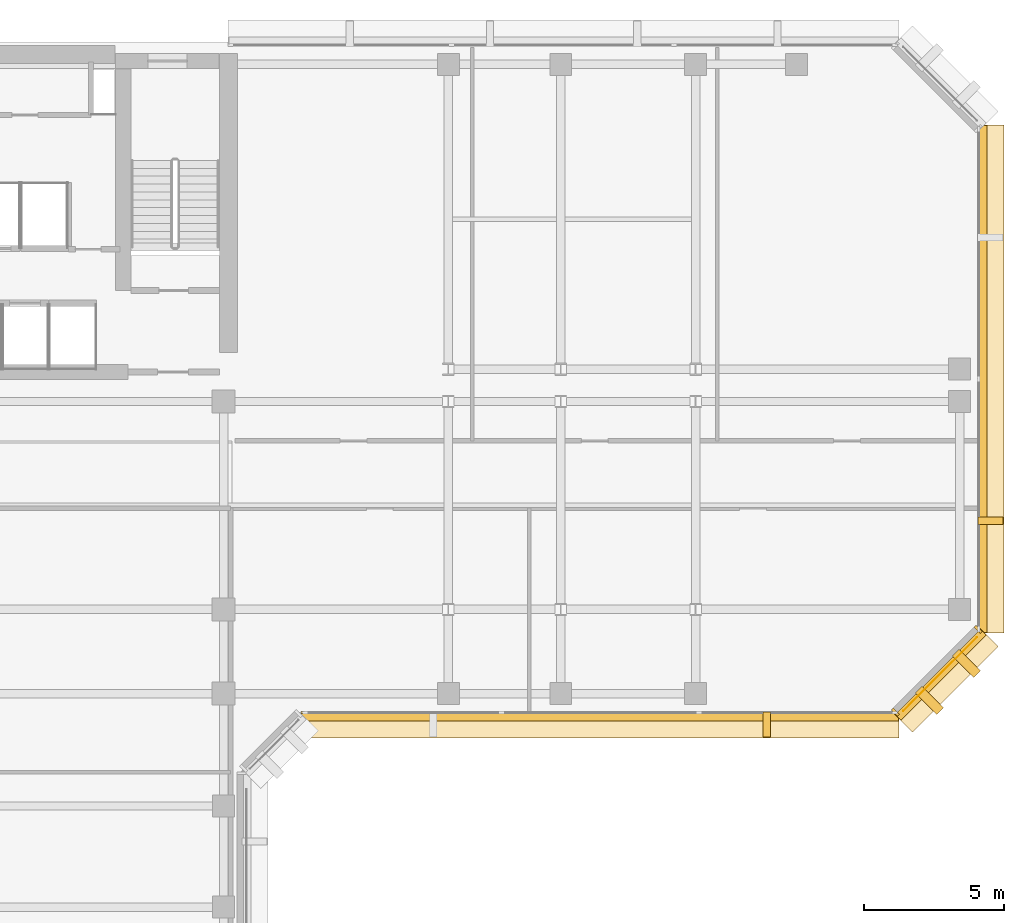
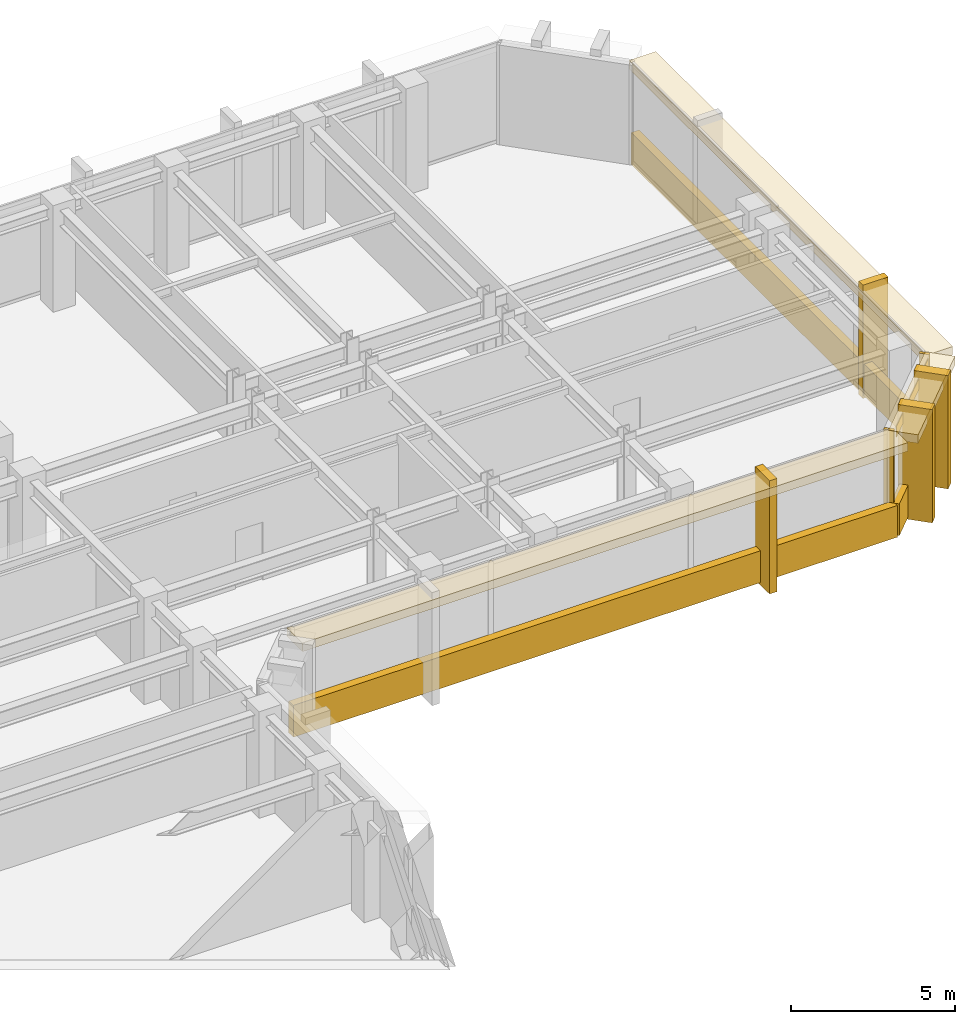
# One storey, part 10 of 12: 13 coverings.
"""IFC4 building model written with IfcOpenShell, lengths in metres."""

from ifc_helpers import new_model, si_unit, direction, frame, origin, origin_2d, place, context, subcontext, project, spatial, rectangle, extrude, material, layer, layer_set, type_object, element, save


model = new_model("IFC4")

# Units and contexts
model_context = context("Model", 3, precision=1e-05, world=origin(), true_north=direction((0.0, 1.0)))
body_context = subcontext(model_context, "Body", "Model", "MODEL_VIEW")
ifc_project = project(units=[si_unit("LENGTHUNIT", "METRE"), si_unit("AREAUNIT", "SQUARE_METRE"), si_unit("VOLUMEUNIT", "CUBIC_METRE"), si_unit("PLANEANGLEUNIT", "RADIAN"), si_unit("MASSUNIT", "GRAM", prefix="KILO")], contexts=[model_context])

# Site, building, storey
site_placement = place(None, origin())
site = spatial("IfcSite", under=ifc_project, at=site_placement, CompositionType="ELEMENT")
building_placement = place(site_placement, origin())
building = spatial("IfcBuilding", under=site, at=building_placement, Name="Kefirva Bronze Tower", CompositionType="ELEMENT")
storey_placement = place(building_placement, frame((0.0, 0.0, 199.320068359375)))
storey = spatial("IfcBuildingStorey", under=building, at=storey_placement, Name="L48", CompositionType="ELEMENT", Elevation=199.320068359375)

# Coverings
ifc_material = material(Name="Bronze anodised aluminium", Category="aluminium")
ifc_layer_1 = layer(ifc_material, 0.02001953125, Name="Bronze anodised aluminium")
ifc_layer_set_1 = layer_set([ifc_layer_1], Name="Bronze anodised aluminium")
covering_type_1 = type_object("IfcCoveringType", Name="Anodised Bronze Spandrel Cladding 20mm", PredefinedType="CLADDING", material=ifc_layer_set_1)
covering_1_placement = place(storey_placement, frame((36.60009765625, 21.9599609375, -0.16015625), z_axis=(0.0, 0.0, 1.0), x_axis=(1.0, 0.0, 0.0)))
element("IfcCovering", 1, at=covering_1_placement, inside=storey, type_object=covering_type_1, Name="L48 Streamline Horizontal Spandrel Band 8", PredefinedType="CLADDING", context=body_context, shape_type="SweptSolid", body=[
    extrude(rectangle(XDim=21.239990234375, YDim=0.280029296875, at=origin_2d()), origin(), (0.0, 0.0, 1.0), 1.179931640625),
])
covering_2_placement = place(storey_placement, frame((48.70703125, 23.492919921875, 3.2900390625), z_axis=(0.0, 0.0, 1.0), x_axis=(0.707106781187, 0.707106781187, 0.0)))
element("IfcCovering", 2, at=covering_2_placement, inside=storey, type_object=covering_type_1, Name="L48 Bronze Spandrel Cladding 7", PredefinedType="CLADDING", context=body_context, shape_type="SweptSolid", body=[
    extrude(rectangle(XDim=3.719482421875, YDim=0.02001953125, at=origin_2d()), origin(), (0.0, 0.0, 1.0), 0.39990234375),
])
for number, where, z_axis, x_axis, name in (
    (3, (47.11181640625, 22.137939453125, 0.0), (0.0, 0.0, 1.0), (0.707106781187, 0.707106781187, 0.0), "L48 Facade Joint Closure Panel 7S"),
    (4, (50.06201171875, 25.08837890625, 0.0), (0.0, 0.0, 1.0), (0.707106781187, 0.707106781187, 0.0), "L48 Facade Joint Closure Panel 7E"),
):
    element("IfcCovering", number, at=place(storey_placement, frame(where, z_axis=z_axis, x_axis=x_axis)), inside=storey, type_object=covering_type_1, Name=name, PredefinedType="CLADDING", context=body_context, shape_type="SweptSolid", body=[
        extrude(rectangle(XDim=0.10009765625, YDim=0.320068359375, at=origin_2d()), origin(), (0.0, 0.0, 1.0), 3.7099609375),
    ])
covering_3_placement = place(storey_placement, frame((48.728271484375, 23.4716796875, -0.16015625), z_axis=(0.0, 0.0, 1.0), x_axis=(0.707106781187, 0.707106781187, 0.0)))
element("IfcCovering", 5, at=covering_3_placement, inside=storey, type_object=covering_type_1, Name="L48 Streamline Horizontal Spandrel Band 9", PredefinedType="CLADDING", context=body_context, shape_type="SweptSolid", body=[
    extrude(rectangle(XDim=4.28271484375, YDim=0.280029296875, at=origin_2d()), origin(), (0.0, 0.0, 1.0), 1.179931640625),
])
covering_4_placement = place(storey_placement, frame((50.239990234375, 34.0, -0.16015625), z_axis=(0.0, 0.0, 1.0), x_axis=(0.0, 1.0, 0.0)))
element("IfcCovering", 6, at=covering_4_placement, inside=storey, type_object=covering_type_1, Name="L48 Streamline Horizontal Spandrel Band 10", PredefinedType="CLADDING", context=body_context, shape_type="SweptSolid", body=[
    extrude(rectangle(XDim=18.0400390625, YDim=0.280029296875, at=origin_2d()), origin(), (0.0, 0.0, 1.0), 1.179931640625),
])
ifc_layer_2 = layer(ifc_material, 0.179931640625, Name="Bronze anodised aluminium")
ifc_layer_set_2 = layer_set([ifc_layer_2], Name="Bronze anodised aluminium")
covering_type_2 = type_object("IfcCoveringType", Name="Streamline Bronze Sunshade Eyebrow Cladding 180mm", PredefinedType="CLADDING", material=ifc_layer_set_2)
covering_5_placement = place(storey_placement, frame((36.60009765625, 21.68994140625, 3.39013671875), z_axis=(0.0, 0.0, 1.0), x_axis=(1.0, 0.0, 0.0)))
element("IfcCovering", 7, at=covering_5_placement, inside=storey, type_object=covering_type_2, Name="L48 Streamline Bronze Sunshade Eyebrow 8", PredefinedType="CLADDING", context=body_context, shape_type="SweptSolid", body=[
    extrude(rectangle(XDim=21.280029296875, YDim=0.93994140625, at=origin_2d()), origin(), (0.0, 0.0, 1.0), 0.320068359375),
])
covering_6_placement = place(storey_placement, frame((48.919189453125, 23.28076171875, 3.39013671875), z_axis=(0.0, 0.0, 1.0), x_axis=(0.707106781187, 0.707106781187, 0.0)))
element("IfcCovering", 8, at=covering_6_placement, inside=storey, type_object=covering_type_2, Name="L48 Streamline Bronze Sunshade Eyebrow 9", PredefinedType="CLADDING", context=body_context, shape_type="SweptSolid", body=[
    extrude(rectangle(XDim=4.322509765625, YDim=0.93994140625, at=origin_2d()), origin(), (0.0, 0.0, 1.0), 0.320068359375),
])
covering_7_placement = place(storey_placement, frame((50.510009765625, 34.0, 3.39013671875), z_axis=(0.0, 0.0, 1.0), x_axis=(0.0, 1.0, 0.0)))
element("IfcCovering", 9, at=covering_7_placement, inside=storey, type_object=covering_type_2, Name="L48 Streamline Bronze Sunshade Eyebrow 10", PredefinedType="CLADDING", context=body_context, shape_type="SweptSolid", body=[
    extrude(rectangle(XDim=18.080078125, YDim=0.93994140625, at=origin_2d()), origin(), (0.0, 0.0, 1.0), 0.320068359375),
])
ifc_layer_3 = layer(ifc_material, 0.260009765625, Name="Bronze anodised aluminium")
ifc_layer_set_3 = layer_set([ifc_layer_3], Name="Bronze anodised aluminium")
covering_type_3 = type_object("IfcCoveringType", Name="Unbroken Bronze Buttress Fin Cladding 260mm", PredefinedType="CLADDING", material=ifc_layer_set_3)
covering_8_placement = place(storey_placement, frame((42.535888671875, 21.699951171875, -0.25), z_axis=(0.0, 0.0, 1.0), x_axis=(1.0, 0.0, 0.0)))
element("IfcCovering", 10, at=covering_8_placement, inside=storey, type_object=covering_type_3, Name="L48 Unbroken Vertical Bronze Rib Fin 10", PredefinedType="CLADDING", context=body_context, shape_type="SweptSolid", body=[
    extrude(rectangle(XDim=0.260009765625, YDim=0.8798828125, at=origin_2d()), origin(), (0.0, 0.0, 1.0), 4.2099609375),
])
for number, where, z_axis, x_axis, name in (
    (11, (48.32275390625, 22.55712890625, -0.25), (0.0, 0.0, 1.0), (0.707106781187, 0.707106781187, 0.0), "L48 Chamfered Corner Buttress Fin Cladding 11"),
    (12, (49.642822265625, 23.877197265625, -0.25), (0.0, 0.0, 1.0), (0.707106781187, 0.707106781187, 0.0), "L48 Chamfered Corner Buttress Fin Cladding 12"),
):
    element("IfcCovering", number, at=place(storey_placement, frame(where, z_axis=z_axis, x_axis=x_axis)), inside=storey, type_object=covering_type_3, Name=name, PredefinedType="CLADDING", context=body_context, shape_type="SweptSolid", body=[
        extrude(rectangle(XDim=0.340087890625, YDim=1.080078125, at=origin_2d()), origin(), (0.0, 0.0, 1.0), 4.2099609375),
    ])
covering_9_placement = place(storey_placement, frame((50.5, 28.9599609375, -0.25), z_axis=(0.0, 0.0, 1.0), x_axis=(0.0, 1.0, 0.0)))
element("IfcCovering", 13, at=covering_9_placement, inside=storey, type_object=covering_type_3, Name="L48 Unbroken Vertical Bronze Rib Fin 13", PredefinedType="CLADDING", context=body_context, shape_type="SweptSolid", body=[
    extrude(rectangle(XDim=0.260009765625, YDim=0.8798828125, at=origin_2d()), origin(), (0.0, 0.0, 1.0), 4.2099609375),
])

save(model, "model.ifc")
